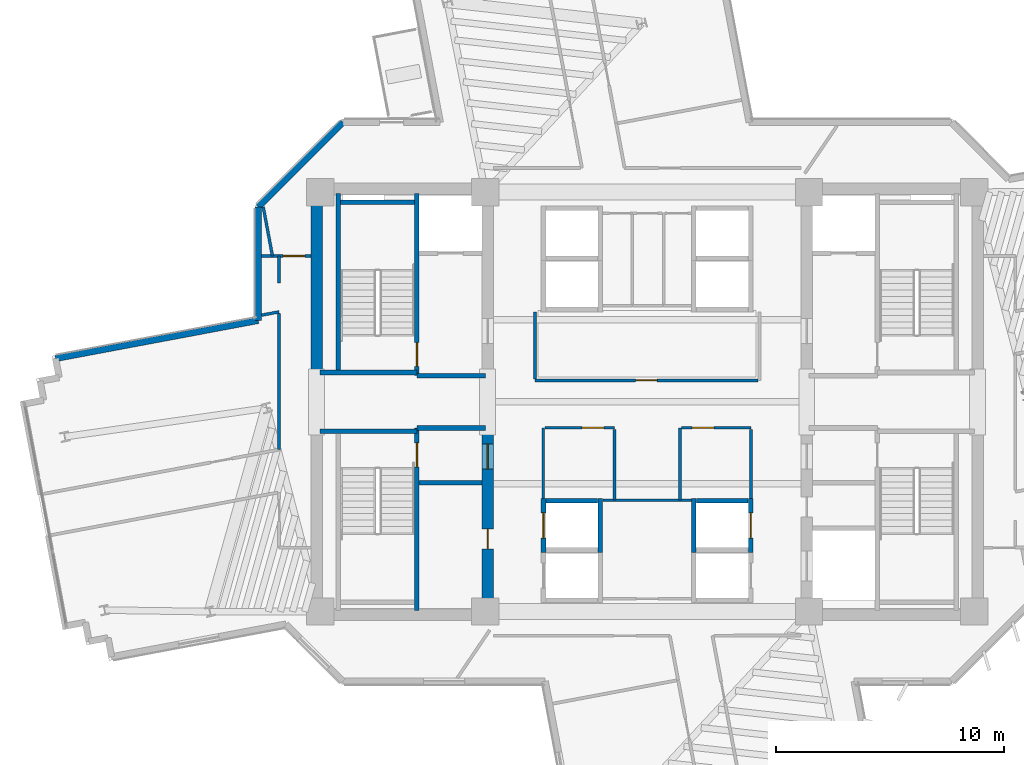
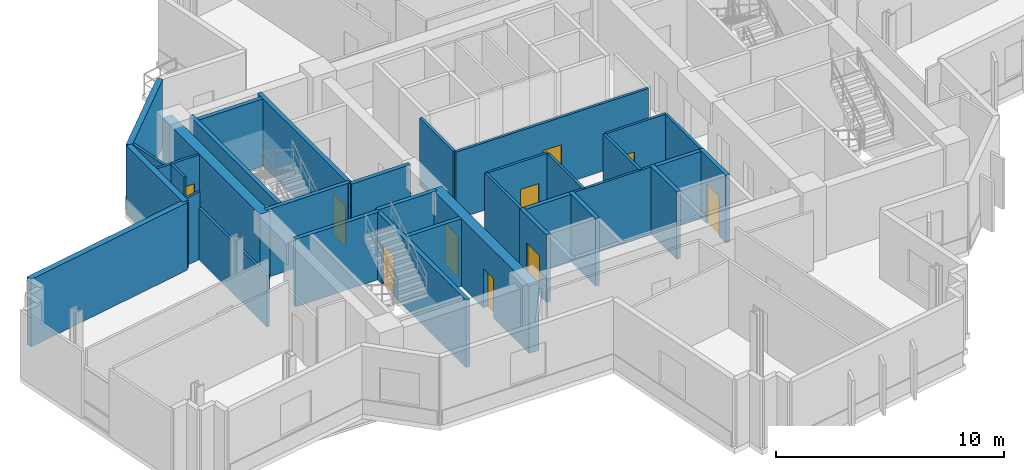
# One storey, part 9 of 16: 34 walls, 10 doors, 10 openings.
"""IFC4 building model written with IfcOpenShell, lengths in metres."""

from ifc_helpers import new_model, si_unit, direction, frame, frame_2d, origin, place, context, subcontext, project, spatial, rectangle, extrude, source, transform, mapped, material, layer, layer_set, type_object, element, fill, save


model = new_model("IFC4")

# Units and contexts
model_context = context("Model", 3, precision=1e-05, world=origin(), true_north=direction((0.0, 1.0)))
body_context = subcontext(model_context, "Body", "Model", "MODEL_VIEW")
ifc_project = project(units=[si_unit("LENGTHUNIT", "METRE"), si_unit("AREAUNIT", "SQUARE_METRE"), si_unit("VOLUMEUNIT", "CUBIC_METRE"), si_unit("PLANEANGLEUNIT", "RADIAN"), si_unit("MASSUNIT", "GRAM", prefix="KILO")], contexts=[model_context])

# Site, building, storey
site_placement = place(None, origin())
site = spatial("IfcSite", under=ifc_project, at=site_placement, CompositionType="ELEMENT")
building_placement = place(site_placement, origin())
building = spatial("IfcBuilding", under=site, at=building_placement, Name="Zahravan Cultural Tower", CompositionType="ELEMENT")
storey_placement = place(building_placement, frame((0.0, 0.0, 147.300048828125)))
storey = spatial("IfcBuildingStorey", under=building, at=storey_placement, Name="L33", CompositionType="ELEMENT", Elevation=147.300048828125)

# Wall, openings, doors
ifc_material_1 = material(Name="Concrete C60/75", Category="concrete")
ifc_layer_1 = layer(ifc_material_1, 0.5)
ifc_layer_set_1 = layer_set([ifc_layer_1], Name="Concrete C60/75")
wall_type_1 = type_object("IfcWallType", Name="CW-SHEAR-500-C60", PredefinedType="SHEAR", material=ifc_layer_set_1)
wall_1_placement = place(storey_placement, frame((29.0, 17.39990234375, 0.0), z_axis=(0.0, 0.0, 1.0), x_axis=(0.0, 1.0, 0.0)))
wall_1 = element("IfcWall", 1, at=wall_1_placement, inside=storey, type_object=wall_type_1, Name="L33 Core Shear Wall CW-W-ES-L33", PredefinedType="SHEAR", context=body_context, shape_type="SweptSolid", body=[
    extrude(rectangle(XDim=8.550048828125, YDim=0.5, at=frame_2d((4.27490234375, 0.0))), origin(), (0.0, 0.0, 1.0), 3.619873046875),
])
opening_1_placement = place(wall_1_placement, frame((6.64990234375, 0.0, 0.0)))
opening_1 = element("IfcOpeningElement", 2, at=opening_1_placement, cuts=wall_1, Name="Opening D-L33-07", PredefinedType="OPENING", context=body_context, shape_type="SweptSolid", body=[
    extrude(rectangle(XDim=1.10009765625, YDim=2.199951171875, at=frame_2d((0.550048828125, 1.10009765625))), frame((0.0, 0.260009765625, 0.0), z_axis=(0.0, -1.0, 0.0), x_axis=(1.0, 0.0, 0.0)), (0.0, 0.0, 1.0), 0.52001953125),
])
opening_2_placement = place(wall_1_placement, frame((3.14990234375, 0.0, 0.0)))
opening_2 = element("IfcOpeningElement", 3, at=opening_2_placement, cuts=wall_1, Name="Opening D-L33-09", PredefinedType="OPENING", context=body_context, shape_type="SweptSolid", body=[
    extrude(rectangle(XDim=0.8798828125, YDim=2.10009765625, at=frame_2d((0.43994140625, 1.050048828125))), frame((0.0, 0.260009765625, 0.0), z_axis=(0.0, -1.0, 0.0), x_axis=(1.0, 0.0, 0.0)), (0.0, 0.0, 1.0), 0.52001953125),
])
ifc_material_2 = material(Name="Steel ASTM A572 Grade 50", Category="steel")
door_type_1 = type_object("IfcDoorType", Name="DR-LOBBY-1100", OperationType="NOTDEFINED", PredefinedType="DOOR", material=ifc_material_2)
shared_shape_1 = source(origin(), body_context, "Body", "SweptSolid", [
    extrude(rectangle(XDim=1.10009765625, YDim=2.199951171875, at=frame_2d((0.550048828125, 1.10009765625))), frame((0.0, 0.02490234375, 0.0), z_axis=(0.0, -1.0, 0.0), x_axis=(1.0, 0.0, 0.0)), (0.0, 0.0, 1.0), 0.050048828125),
])
door_1_placement = place(opening_1_placement, origin())
door_1 = element("IfcDoor", 4, at=door_1_placement, inside=storey, type_object=door_type_1, Name="L33 Door D-L33-07", OperationType="SINGLE_SWING_LEFT", OverallHeight=2.199951171875, OverallWidth=1.10009765625, PredefinedType="DOOR", context=body_context, shape_type="MappedRepresentation", body=[
    mapped(shared_shape_1, transform((0.0, 0.0, 0.0), x_axis=(1.0, 0.0, 0.0), y_axis=(0.0, 1.0, 0.0), z_axis=(0.0, 0.0, 1.0), scale=1.0)),
])
fill(opening_1, door_1)
door_type_2 = type_object("IfcDoorType", Name="DR-SVC-880", OperationType="NOTDEFINED", PredefinedType="DOOR", material=ifc_material_2)
shared_shape_2 = source(origin(), body_context, "Body", "SweptSolid", [
    extrude(rectangle(XDim=0.8798828125, YDim=2.10009765625, at=frame_2d((0.43994140625, 1.050048828125))), frame((0.0, 0.02490234375, 0.0), z_axis=(0.0, -1.0, 0.0), x_axis=(1.0, 0.0, 0.0)), (0.0, 0.0, 1.0), 0.050048828125),
])
door_2_placement = place(opening_2_placement, origin())
door_2 = element("IfcDoor", 5, at=door_2_placement, inside=storey, type_object=door_type_2, Name="L33 Door D-L33-09", OperationType="SINGLE_SWING_LEFT", OverallHeight=2.10009765625, OverallWidth=0.8798828125, PredefinedType="DOOR", context=body_context, shape_type="MappedRepresentation", body=[
    mapped(shared_shape_2, transform((0.0, 0.0, 0.0), x_axis=(1.0, 0.0, 0.0), y_axis=(0.0, 1.0, 0.0), z_axis=(0.0, 0.0, 1.0), scale=1.0)),
])
fill(opening_2, door_2)

# Wall, opening, door
ifc_material_3 = material(Name="Gypsum plasterboard partition")
ifc_layer_2 = layer(ifc_material_3, 0.125)
ifc_layer_set_2 = layer_set([ifc_layer_2], Name="Gypsum plasterboard partition")
wall_type_2 = type_object("IfcWallType", Name="W-PART-125", PredefinedType="PARTITIONING", material=ifc_layer_set_2)
wall_2_placement = place(storey_placement, frame((21.2451171875, 33.39990234375, 0.0), z_axis=(0.0, 0.0, 1.0), x_axis=(-0.99999875384, -0.001578708001, 0.0)))
wall_2 = element("IfcWall", 6, at=wall_2_placement, inside=storey, type_object=wall_type_2, Name="L33 Interior Wall 064", PredefinedType="PARTITIONING", context=body_context, shape_type="SweptSolid", body=[
    extrude(rectangle(XDim=2.1650390625, YDim=0.125, at=frame_2d((1.08251953125, 0.0))), origin(), (0.0, 0.0, 1.0), 3.619873046875),
])
opening_3_placement = place(wall_2_placement, frame((0.267333984375, 0.0, 0.0)))
opening_3 = element("IfcOpeningElement", 7, at=opening_3_placement, cuts=wall_2, Name="Opening D-L33-24", PredefinedType="OPENING", context=body_context, shape_type="SweptSolid", body=[
    extrude(rectangle(XDim=0.949951171875, YDim=2.14990234375, at=frame_2d((0.47509765625, 1.074951171875))), frame((0.0, 0.072509765625, 0.0), z_axis=(0.0, -1.0, 0.0), x_axis=(1.0, 0.0, 0.0)), (0.0, 0.0, 1.0), 0.14501953125),
])
ifc_material_4 = material(Name="Anodised bronze-aluminium mullion", Category="aluminium")
door_type_3 = type_object("IfcDoorType", Name="DR-ROOM-950", OperationType="NOTDEFINED", PredefinedType="DOOR", material=ifc_material_4)
shared_shape_3 = source(origin(), body_context, "Body", "SweptSolid", [
    extrude(rectangle(XDim=0.949951171875, YDim=2.14990234375, at=frame_2d((0.47509765625, 1.074951171875))), frame((0.0, 0.02490234375, 0.0), z_axis=(0.0, -1.0, 0.0), x_axis=(1.0, 0.0, 0.0)), (0.0, 0.0, 1.0), 0.050048828125),
])
door_3_placement = place(opening_3_placement, origin())
door_3 = element("IfcDoor", 8, at=door_3_placement, inside=storey, type_object=door_type_3, Name="L33 Door D-L33-24", OperationType="SINGLE_SWING_RIGHT", OverallHeight=2.14990234375, OverallWidth=0.949951171875, PredefinedType="DOOR", context=body_context, shape_type="MappedRepresentation", body=[
    mapped(shared_shape_3, transform((0.0, 0.0, 0.0), x_axis=(1.0, 0.0, 0.0), y_axis=(0.0, 1.0, 0.0), z_axis=(0.0, 0.0, 1.0), scale=1.0)),
])
fill(opening_3, door_3)

wall_3_placement = place(storey_placement, frame((31.507568359375, 25.860107421875, 0.0), z_axis=(0.0, 0.0, 1.0), x_axis=(1.0, 0.0, 0.0)))
wall_3 = element("IfcWall", 9, at=wall_3_placement, inside=storey, type_object=wall_type_2, Name="L33 Interior Wall 069", PredefinedType="PARTITIONING", context=body_context, shape_type="SweptSolid", body=[
    extrude(rectangle(XDim=3.052490234375, YDim=0.125, at=frame_2d((1.5263671875, 0.0))), origin(), (0.0, 0.0, 1.0), 3.619873046875),
])
opening_4_placement = place(wall_3_placement, frame((1.639892578125, 0.0, 0.0)))
opening_4 = element("IfcOpeningElement", 10, at=opening_4_placement, cuts=wall_3, Name="Opening D-L33-11", PredefinedType="OPENING", context=body_context, shape_type="SweptSolid", body=[
    extrude(rectangle(XDim=0.949951171875, YDim=2.14990234375, at=frame_2d((0.47509765625, 1.074951171875))), frame((0.0, 0.072509765625, 0.0), z_axis=(0.0, -1.0, 0.0), x_axis=(1.0, 0.0, 0.0)), (0.0, 0.0, 1.0), 0.14501953125),
])
door_4_placement = place(opening_4_placement, origin())
door_4 = element("IfcDoor", 11, at=door_4_placement, inside=storey, type_object=door_type_3, Name="L33 Door D-L33-11", OperationType="SINGLE_SWING_LEFT", OverallHeight=2.14990234375, OverallWidth=0.949951171875, PredefinedType="DOOR", context=body_context, shape_type="MappedRepresentation", body=[
    mapped(shared_shape_3, transform((0.0, 0.0, 0.0), x_axis=(1.0, 0.0, 0.0), y_axis=(0.0, 1.0, 0.0), z_axis=(0.0, 0.0, 1.0), scale=1.0)),
])
fill(opening_4, door_4)

wall_4_placement = place(storey_placement, frame((37.507568359375, 25.860107421875, 0.0), z_axis=(0.0, 0.0, 1.0), x_axis=(1.0, 0.0, 0.0)))
wall_4 = element("IfcWall", 12, at=wall_4_placement, inside=storey, type_object=wall_type_2, Name="L33 Interior Wall 072", PredefinedType="PARTITIONING", context=body_context, shape_type="SweptSolid", body=[
    extrude(rectangle(XDim=3.052490234375, YDim=0.125, at=frame_2d((1.5263671875, 0.0))), origin(), (0.0, 0.0, 1.0), 3.619873046875),
])
opening_5_placement = place(wall_4_placement, frame((0.462646484375, 0.0, 0.0)))
opening_5 = element("IfcOpeningElement", 13, at=opening_5_placement, cuts=wall_4, Name="Opening D-L33-12", PredefinedType="OPENING", context=body_context, shape_type="SweptSolid", body=[
    extrude(rectangle(XDim=0.949951171875, YDim=2.14990234375, at=frame_2d((0.47509765625, 1.074951171875))), frame((0.0, 0.072509765625, 0.0), z_axis=(0.0, -1.0, 0.0), x_axis=(1.0, 0.0, 0.0)), (0.0, 0.0, 1.0), 0.14501953125),
])
door_5_placement = place(opening_5_placement, origin())
door_5 = element("IfcDoor", 14, at=door_5_placement, inside=storey, type_object=door_type_3, Name="L33 Door D-L33-12", OperationType="SINGLE_SWING_RIGHT", OverallHeight=2.14990234375, OverallWidth=0.949951171875, PredefinedType="DOOR", context=body_context, shape_type="MappedRepresentation", body=[
    mapped(shared_shape_3, transform((0.0, 0.0, 0.0), x_axis=(1.0, 0.0, 0.0), y_axis=(0.0, 1.0, 0.0), z_axis=(0.0, 0.0, 1.0), scale=1.0)),
])
fill(opening_5, door_5)

wall_5_placement = place(storey_placement, frame((40.8525390625, 27.93994140625, 0.0), z_axis=(0.0, 0.0, 1.0), x_axis=(-1.0, 0.0, 0.0)))
wall_5 = element("IfcWall", 15, at=wall_5_placement, inside=storey, type_object=wall_type_2, Name="L33 Interior Wall 085", PredefinedType="PARTITIONING", context=body_context, shape_type="SweptSolid", body=[
    extrude(rectangle(XDim=9.7724609375, YDim=0.125, at=frame_2d((4.88623046875, 0.0))), origin(), (0.0, 0.0, 1.0), 3.619873046875),
])
opening_6_placement = place(wall_5_placement, frame((4.411376953125, 0.0, 0.0)))
opening_6 = element("IfcOpeningElement", 16, at=opening_6_placement, cuts=wall_5, Name="Opening D-L33-16", PredefinedType="OPENING", context=body_context, shape_type="SweptSolid", body=[
    extrude(rectangle(XDim=0.949951171875, YDim=2.14990234375, at=frame_2d((0.47509765625, 1.074951171875))), frame((0.0, 0.072509765625, 0.0), z_axis=(0.0, -1.0, 0.0), x_axis=(1.0, 0.0, 0.0)), (0.0, 0.0, 1.0), 0.14501953125),
])
door_6_placement = place(opening_6_placement, origin())
door_6 = element("IfcDoor", 17, at=door_6_placement, inside=storey, type_object=door_type_3, Name="L33 Door D-L33-16", OperationType="SINGLE_SWING_RIGHT", OverallHeight=2.14990234375, OverallWidth=0.949951171875, PredefinedType="DOOR", context=body_context, shape_type="MappedRepresentation", body=[
    mapped(shared_shape_3, transform((0.0, 0.0, 0.0), x_axis=(1.0, 0.0, 0.0), y_axis=(0.0, 1.0, 0.0), z_axis=(0.0, 0.0, 1.0), scale=1.0)),
])
fill(opening_6, door_6)

ifc_material_5 = material(Name="Concrete C45/55", Category="concrete")
ifc_layer_3 = layer(ifc_material_5, 0.199951171875)
ifc_layer_set_3 = layer_set([ifc_layer_3], Name="Concrete C45/55")
wall_type_3 = type_object("IfcWallType", Name="W-SHAFT-200", PredefinedType="SOLIDWALL", material=ifc_layer_set_3)
wall_6_placement = place(storey_placement, frame((25.89990234375, 17.85009765625, 0.0), z_axis=(0.0, 0.0, 1.0), x_axis=(0.0, 1.0, 0.0)))
wall_6 = element("IfcWall", 18, at=wall_6_placement, inside=storey, type_object=wall_type_3, Name="L33 Interior Wall 005", PredefinedType="SOLIDWALL", context=body_context, shape_type="SweptSolid", body=[
    extrude(rectangle(XDim=8.0, YDim=0.199951171875, at=frame_2d((4.0, 0.0))), origin(), (0.0, 0.0, 1.0), 3.619873046875),
])
opening_7_placement = place(wall_6_placement, frame((6.300048828125, 0.0, 0.0)))
opening_7 = element("IfcOpeningElement", 19, at=opening_7_placement, cuts=wall_6, Name="Opening D-L33-04", PredefinedType="OPENING", context=body_context, shape_type="SweptSolid", body=[
    extrude(rectangle(XDim=1.050048828125, YDim=2.14990234375, at=frame_2d((0.52490234375, 1.074951171875))), frame((0.0, 0.10986328125, 0.0), z_axis=(0.0, -1.0, 0.0), x_axis=(1.0, 0.0, 0.0)), (0.0, 0.0, 1.0), 0.219970703125),
])
door_type_4 = type_object("IfcDoorType", Name="DR-STAIR-1050", OperationType="NOTDEFINED", PredefinedType="DOOR", material=ifc_material_2)
shared_shape_4 = source(origin(), body_context, "Body", "SweptSolid", [
    extrude(rectangle(XDim=1.050048828125, YDim=2.14990234375, at=frame_2d((0.52490234375, 1.074951171875))), frame((0.0, 0.02490234375, 0.0), z_axis=(0.0, -1.0, 0.0), x_axis=(1.0, 0.0, 0.0)), (0.0, 0.0, 1.0), 0.050048828125),
])
door_7_placement = place(opening_7_placement, origin())
door_7 = element("IfcDoor", 20, at=door_7_placement, inside=storey, type_object=door_type_4, Name="L33 Door D-L33-04", OperationType="SINGLE_SWING_RIGHT", OverallHeight=2.14990234375, OverallWidth=1.050048828125, PredefinedType="DOOR", context=body_context, shape_type="MappedRepresentation", body=[
    mapped(shared_shape_4, transform((0.0, 0.0, 0.0), x_axis=(1.0, 0.0, 0.0), y_axis=(0.0, 1.0, 0.0), z_axis=(0.0, 0.0, 1.0), scale=1.0)),
])
fill(opening_7, door_7)

wall_7_placement = place(storey_placement, frame((25.89990234375, 28.14990234375, 0.0), z_axis=(0.0, 0.0, 1.0), x_axis=(0.0, 1.0, 0.0)))
wall_7 = element("IfcWall", 21, at=wall_7_placement, inside=storey, type_object=wall_type_3, Name="L33 Interior Wall 006", PredefinedType="SOLIDWALL", context=body_context, shape_type="SweptSolid", body=[
    extrude(rectangle(XDim=8.0, YDim=0.199951171875, at=frame_2d((4.0, 0.0))), origin(), (0.0, 0.0, 1.0), 3.619873046875),
])
opening_8_placement = place(wall_7_placement, frame((0.39990234375, 0.0, 0.0)))
opening_8 = element("IfcOpeningElement", 22, at=opening_8_placement, cuts=wall_7, Name="Opening D-L33-01", PredefinedType="OPENING", context=body_context, shape_type="SweptSolid", body=[
    extrude(rectangle(XDim=1.050048828125, YDim=2.14990234375, at=frame_2d((0.52490234375, 1.074951171875))), frame((0.0, 0.10986328125, 0.0), z_axis=(0.0, -1.0, 0.0), x_axis=(1.0, 0.0, 0.0)), (0.0, 0.0, 1.0), 0.219970703125),
])
door_8_placement = place(opening_8_placement, origin())
door_8 = element("IfcDoor", 23, at=door_8_placement, inside=storey, type_object=door_type_4, Name="L33 Door D-L33-01", OperationType="SINGLE_SWING_LEFT", OverallHeight=2.14990234375, OverallWidth=1.050048828125, PredefinedType="DOOR", context=body_context, shape_type="MappedRepresentation", body=[
    mapped(shared_shape_4, transform((0.0, 0.0, 0.0), x_axis=(1.0, 0.0, 0.0), y_axis=(0.0, 1.0, 0.0), z_axis=(0.0, 0.0, 1.0), scale=1.0)),
])
fill(opening_8, door_8)

wall_8_placement = place(storey_placement, frame((31.449951171875, 20.39990234375, 0.0), z_axis=(0.0, 0.0, 1.0), x_axis=(0.0, 1.0, 0.0)))
wall_8 = element("IfcWall", 24, at=wall_8_placement, inside=storey, type_object=wall_type_3, Name="L33 Interior Wall 040", PredefinedType="SOLIDWALL", context=body_context, shape_type="SweptSolid", body=[
    extrude(rectangle(XDim=2.35009765625, YDim=0.199951171875, at=frame_2d((1.175048828125, 0.0))), origin(), (0.0, 0.0, 1.0), 3.619873046875),
])
opening_9_placement = place(wall_8_placement, frame((0.625, 0.0, 0.0)))
opening_9 = element("IfcOpeningElement", 25, at=opening_9_placement, cuts=wall_8, Name="Opening LD-L33-04", PredefinedType="OPENING", context=body_context, shape_type="SweptSolid", body=[
    extrude(rectangle(XDim=1.10009765625, YDim=2.14990234375, at=frame_2d((0.550048828125, 1.074951171875))), frame((0.0, 0.10986328125, 0.0), z_axis=(0.0, -1.0, 0.0), x_axis=(1.0, 0.0, 0.0)), (0.0, 0.0, 1.0), 0.219970703125),
])
door_type_5 = type_object("IfcDoorType", Name="DR-LIFT-1100", OperationType="DOUBLE_DOOR_SLIDING", PredefinedType="DOOR", material=ifc_material_2)
shared_shape_5 = source(origin(), body_context, "Body", "SweptSolid", [
    extrude(rectangle(XDim=1.10009765625, YDim=2.14990234375, at=frame_2d((0.550048828125, 1.074951171875))), frame((0.0, 0.02490234375, 0.0), z_axis=(0.0, -1.0, 0.0), x_axis=(1.0, 0.0, 0.0)), (0.0, 0.0, 1.0), 0.050048828125),
])
door_9_placement = place(opening_9_placement, origin())
door_9 = element("IfcDoor", 26, at=door_9_placement, inside=storey, type_object=door_type_5, Name="L33 Door LD-L33-04", OperationType="DOUBLE_DOOR_SLIDING", OverallHeight=2.14990234375, OverallWidth=1.10009765625, PredefinedType="DOOR", context=body_context, shape_type="MappedRepresentation", body=[
    mapped(shared_shape_5, transform((0.0, 0.0, 0.0), x_axis=(1.0, 0.0, 0.0), y_axis=(0.0, 1.0, 0.0), z_axis=(0.0, 0.0, 1.0), scale=1.0)),
])
fill(opening_9, door_9)

wall_9_placement = place(storey_placement, frame((40.550048828125, 20.39990234375, 0.0), z_axis=(0.0, 0.0, 1.0), x_axis=(0.0, 1.0, 0.0)))
wall_9 = element("IfcWall", 27, at=wall_9_placement, inside=storey, type_object=wall_type_3, Name="L33 Interior Wall 048", PredefinedType="SOLIDWALL", context=body_context, shape_type="SweptSolid", body=[
    extrude(rectangle(XDim=2.35009765625, YDim=0.199951171875, at=frame_2d((1.175048828125, 0.0))), origin(), (0.0, 0.0, 1.0), 3.619873046875),
])
opening_10_placement = place(wall_9_placement, frame((0.625, 0.0, 0.0)))
opening_10 = element("IfcOpeningElement", 28, at=opening_10_placement, cuts=wall_9, Name="Opening LD-L33-06", PredefinedType="OPENING", context=body_context, shape_type="SweptSolid", body=[
    extrude(rectangle(XDim=1.10009765625, YDim=2.14990234375, at=frame_2d((0.550048828125, 1.074951171875))), frame((0.0, 0.10986328125, 0.0), z_axis=(0.0, -1.0, 0.0), x_axis=(1.0, 0.0, 0.0)), (0.0, 0.0, 1.0), 0.219970703125),
])
door_10_placement = place(opening_10_placement, origin())
door_10 = element("IfcDoor", 29, at=door_10_placement, inside=storey, type_object=door_type_5, Name="L33 Door LD-L33-06", OperationType="DOUBLE_DOOR_SLIDING", OverallHeight=2.14990234375, OverallWidth=1.10009765625, PredefinedType="DOOR", context=body_context, shape_type="MappedRepresentation", body=[
    mapped(shared_shape_5, transform((0.0, 0.0, 0.0), x_axis=(1.0, 0.0, 0.0), y_axis=(0.0, 1.0, 0.0), z_axis=(0.0, 0.0, 1.0), scale=1.0)),
])
fill(opening_10, door_10)

# Walls
shared_shape_6 = source(origin(), body_context, "Body", "SweptSolid", [
    extrude(rectangle(XDim=8.550048828125, YDim=0.5, at=frame_2d((4.27490234375, 0.0))), origin(), (0.0, 0.0, 1.0), 3.619873046875),
])
wall_10_placement = place(storey_placement, frame((21.5, 28.050048828125, 0.0), z_axis=(0.0, 0.0, 1.0), x_axis=(0.0, 1.0, 0.0)))
element("IfcWall", 30, at=wall_10_placement, inside=storey, type_object=wall_type_1, Name="L33 Core Shear Wall CW-W-WN-L33", PredefinedType="SHEAR", context=body_context, shape_type="MappedRepresentation", body=[
    mapped(shared_shape_6, transform((0.0, 0.0, 0.0), x_axis=(1.0, 0.0, 0.0), y_axis=(0.0, 1.0, 0.0), z_axis=(0.0, 0.0, 1.0), scale=1.0)),
])
ifc_material_6 = material(Name="Precast concrete C40/50", Category="concrete")
ifc_layer_4 = layer(ifc_material_6, 0.280029296875)
ifc_layer_set_4 = layer_set([ifc_layer_4], Name="Precast concrete C40/50")
wall_type_4 = type_object("IfcWallType", Name="EW-TC-280", PredefinedType="SOLIDWALL", material=ifc_layer_set_4)
shared_shape_7 = source(origin(), body_context, "Body", "SweptSolid", [
    extrude(rectangle(XDim=5.258056640625, YDim=0.280029296875, at=frame_2d((2.62890625, 0.0))), origin(), (0.0, 0.0, 1.0), 3.619873046875),
])
wall_11_placement = place(storey_placement, frame((18.93994140625, 35.5419921875, 0.0), z_axis=(0.0, 0.0, 1.0), x_axis=(0.707106781187, 0.707106781187, 0.0)))
element("IfcWall", 31, at=wall_11_placement, inside=storey, type_object=wall_type_4, Name="L33 Exterior Masonry Frame Wall 38", PredefinedType="SOLIDWALL", context=body_context, shape_type="MappedRepresentation", body=[
    mapped(shared_shape_7, transform((0.0, 0.0, 0.0), x_axis=(1.0, 0.0, 0.0), y_axis=(0.0, 1.0, 0.0), z_axis=(0.0, 0.0, 1.0), scale=1.0)),
])
shared_shape_8 = source(origin(), body_context, "Body", "SweptSolid", [
    extrude(rectangle(XDim=4.970458984375, YDim=0.280029296875, at=frame_2d((2.4853515625, 0.0))), origin(), (0.0, 0.0, 1.0), 3.619873046875),
])
wall_12_placement = place(storey_placement, frame((18.93994140625, 30.571533203125, 0.0), z_axis=(0.0, 0.0, 1.0), x_axis=(0.0, 1.0, 0.0)))
element("IfcWall", 32, at=wall_12_placement, inside=storey, type_object=wall_type_4, Name="L33 Exterior Masonry Frame Wall 37", PredefinedType="SOLIDWALL", context=body_context, shape_type="MappedRepresentation", body=[
    mapped(shared_shape_8, transform((0.0, 0.0, 0.0), x_axis=(1.0, 0.0, 0.0), y_axis=(0.0, 1.0, 0.0), z_axis=(0.0, 0.0, 1.0), scale=1.0)),
])
shared_shape_9 = source(origin(), body_context, "Body", "SweptSolid", [
    extrude(rectangle(XDim=9.052490234375, YDim=0.280029296875, at=frame_2d((4.5263671875, 0.0))), origin(), (0.0, 0.0, 1.0), 3.619873046875),
])
wall_13_placement = place(storey_placement, frame((10.04296875, 28.900146484375, 0.0), z_axis=(0.0, 0.0, 1.0), x_axis=(0.982808012228, 0.184630471755, 0.0)))
element("IfcWall", 33, at=wall_13_placement, inside=storey, type_object=wall_type_4, Name="L33 Exterior Masonry Frame Wall 36", PredefinedType="SOLIDWALL", context=body_context, shape_type="MappedRepresentation", body=[
    mapped(shared_shape_9, transform((0.0, 0.0, 0.0), x_axis=(1.0, 0.0, 0.0), y_axis=(0.0, 1.0, 0.0), z_axis=(0.0, 0.0, 1.0), scale=1.0)),
])
shared_shape_10 = source(origin(), body_context, "Body", "SweptSolid", [
    extrude(rectangle(XDim=7.869873046875, YDim=0.199951171875, at=frame_2d((3.93505859375, 0.0))), origin(), (0.0, 0.0, 1.0), 3.619873046875),
])
wall_14_placement = place(storey_placement, frame((22.449951171875, 28.280029296875, 0.0), z_axis=(0.0, 0.0, 1.0), x_axis=(0.0, 1.0, 0.0)))
element("IfcWall", 34, at=wall_14_placement, inside=storey, type_object=wall_type_3, Name="L33 Interior Wall 002", PredefinedType="SOLIDWALL", context=body_context, shape_type="MappedRepresentation", body=[
    mapped(shared_shape_10, transform((0.0, 0.0, 0.0), x_axis=(1.0, 0.0, 0.0), y_axis=(0.0, 1.0, 0.0), z_axis=(0.0, 0.0, 1.0), scale=1.0)),
])
shared_shape_11 = source(origin(), body_context, "Body", "SweptSolid", [
    extrude(rectangle(XDim=4.25, YDim=0.199951171875, at=frame_2d((2.125, 0.0))), origin(), (0.0, 0.0, 1.0), 3.619873046875),
])
for number, where, z_axis, x_axis, name in (
    (35, (21.64990234375, 25.715087890625, 0.0), (0.0, 0.0, 1.0), (1.0, 0.0, 0.0), "L33 Interior Wall 009"),
    (36, (21.64990234375, 28.284912109375, 0.0), (0.0, 0.0, 1.0), (1.0, 0.0, 0.0), "L33 Interior Wall 011"),
):
    element("IfcWall", number, at=place(storey_placement, frame(where, z_axis=z_axis, x_axis=x_axis)), inside=storey, type_object=wall_type_3, Name=name, PredefinedType="SOLIDWALL", context=body_context, shape_type="MappedRepresentation", body=[
        mapped(shared_shape_11, transform((0.0, 0.0, 0.0), x_axis=(1.0, 0.0, 0.0), y_axis=(0.0, 1.0, 0.0), z_axis=(0.0, 0.0, 1.0), scale=1.0)),
    ])
shared_shape_12 = source(origin(), body_context, "Body", "SweptSolid", [
    extrude(rectangle(XDim=3.0, YDim=0.199951171875, at=frame_2d((1.5, 0.0))), origin(), (0.0, 0.0, 1.0), 3.619873046875),
])
for number, where, z_axis, x_axis, name in (
    (37, (25.89990234375, 25.85009765625, 0.0), (0.0, 0.0, 1.0), (1.0, 0.0, 0.0), "L33 Interior Wall 010"),
    (38, (25.89990234375, 28.14990234375, 0.0), (0.0, 0.0, 1.0), (1.0, 0.0, 0.0), "L33 Interior Wall 012"),
):
    element("IfcWall", number, at=place(storey_placement, frame(where, z_axis=z_axis, x_axis=x_axis)), inside=storey, type_object=wall_type_3, Name=name, PredefinedType="SOLIDWALL", context=body_context, shape_type="MappedRepresentation", body=[
        mapped(shared_shape_12, transform((0.0, 0.0, 0.0), x_axis=(1.0, 0.0, 0.0), y_axis=(0.0, 1.0, 0.0), z_axis=(0.0, 0.0, 1.0), scale=1.0)),
    ])
shared_shape_13 = source(origin(), body_context, "Body", "SweptSolid", [
    extrude(rectangle(XDim=3.25, YDim=0.199951171875, at=frame_2d((1.625, 0.0))), origin(), (0.0, 0.0, 1.0), 3.619873046875),
])
wall_15_placement = place(storey_placement, frame((22.550048828125, 35.75, 0.0), z_axis=(0.0, 0.0, 1.0), x_axis=(1.0, 0.0, 0.0)))
element("IfcWall", 39, at=wall_15_placement, inside=storey, type_object=wall_type_3, Name="L33 Interior Wall 017", PredefinedType="SOLIDWALL", context=body_context, shape_type="MappedRepresentation", body=[
    mapped(shared_shape_13, transform((0.0, 0.0, 0.0), x_axis=(1.0, 0.0, 0.0), y_axis=(0.0, 1.0, 0.0), z_axis=(0.0, 0.0, 1.0), scale=1.0)),
])
shared_shape_14 = source(origin(), body_context, "Body", "SweptSolid", [
    extrude(rectangle(XDim=2.75, YDim=0.199951171875, at=frame_2d((1.375, 0.0))), origin(), (0.0, 0.0, 1.0), 3.619873046875),
])
wall_16_placement = place(storey_placement, frame((26.0, 23.449951171875, 0.0), z_axis=(0.0, 0.0, 1.0), x_axis=(1.0, 0.0, 0.0)))
element("IfcWall", 40, at=wall_16_placement, inside=storey, type_object=wall_type_3, Name="L33 Interior Wall 023", PredefinedType="SOLIDWALL", context=body_context, shape_type="MappedRepresentation", body=[
    mapped(shared_shape_14, transform((0.0, 0.0, 0.0), x_axis=(1.0, 0.0, 0.0), y_axis=(0.0, 1.0, 0.0), z_axis=(0.0, 0.0, 1.0), scale=1.0)),
])
shared_shape_15 = source(origin(), body_context, "Body", "SweptSolid", [
    extrude(rectangle(XDim=2.260009765625, YDim=0.199951171875, at=frame_2d((1.1298828125, 0.0))), origin(), (0.0, 0.0, 1.0), 3.619873046875),
])
for number, where, z_axis, x_axis, name in (
    (41, (31.570068359375, 22.64990234375, 0.0), (0.0, 0.0, 1.0), (1.0, 0.0, 0.0), "L33 Interior Wall 043"),
    (42, (38.169921875, 22.64990234375, 0.0), (0.0, 0.0, 1.0), (1.0, 0.0, 0.0), "L33 Interior Wall 050"),
):
    element("IfcWall", number, at=place(storey_placement, frame(where, z_axis=z_axis, x_axis=x_axis)), inside=storey, type_object=wall_type_3, Name=name, PredefinedType="SOLIDWALL", context=body_context, shape_type="MappedRepresentation", body=[
        mapped(shared_shape_15, transform((0.0, 0.0, 0.0), x_axis=(1.0, 0.0, 0.0), y_axis=(0.0, 1.0, 0.0), z_axis=(0.0, 0.0, 1.0), scale=1.0)),
    ])
shared_shape_16 = source(origin(), body_context, "Body", "SweptSolid", [
    extrude(rectangle(XDim=2.35009765625, YDim=0.199951171875, at=frame_2d((1.175048828125, 0.0))), origin(), (0.0, 0.0, 1.0), 3.619873046875),
])
for number, where, z_axis, x_axis, name in (
    (43, (33.949951171875, 20.39990234375, 0.0), (0.0, 0.0, 1.0), (0.0, 1.0, 0.0), "L33 Interior Wall 041"),
    (44, (38.050048828125, 20.39990234375, 0.0), (0.0, 0.0, 1.0), (0.0, 1.0, 0.0), "L33 Interior Wall 047"),
):
    element("IfcWall", number, at=place(storey_placement, frame(where, z_axis=z_axis, x_axis=x_axis)), inside=storey, type_object=wall_type_3, Name=name, PredefinedType="SOLIDWALL", context=body_context, shape_type="MappedRepresentation", body=[
        mapped(shared_shape_16, transform((0.0, 0.0, 0.0), x_axis=(1.0, 0.0, 0.0), y_axis=(0.0, 1.0, 0.0), z_axis=(0.0, 0.0, 1.0), scale=1.0)),
    ])
shared_shape_17 = source(origin(), body_context, "Body", "SweptSolid", [
    extrude(rectangle(XDim=1.194580078125, YDim=0.125, at=frame_2d((0.59716796875, 0.0))), origin(), (0.0, 0.0, 1.0), 3.619873046875),
])
wall_17_placement = place(storey_placement, frame((19.851318359375, 33.397705078125, 0.0), z_axis=(0.0, 0.0, 1.0), x_axis=(-0.001021867441, -0.999999477893, 0.0)))
element("IfcWall", 45, at=wall_17_placement, inside=storey, type_object=wall_type_2, Name="L33 Interior Wall 062", PredefinedType="PARTITIONING", context=body_context, shape_type="MappedRepresentation", body=[
    mapped(shared_shape_17, transform((0.0, 0.0, 0.0), x_axis=(1.0, 0.0, 0.0), y_axis=(0.0, 1.0, 0.0), z_axis=(0.0, 0.0, 1.0), scale=1.0)),
])
shared_shape_18 = source(origin(), body_context, "Body", "SweptSolid", [
    extrude(rectangle(XDim=2.19189453125, YDim=0.125, at=frame_2d((1.095947265625, 0.0))), origin(), (0.0, 0.0, 1.0), 3.619873046875),
])
wall_18_placement = place(storey_placement, frame((19.56005859375, 33.39794921875, 0.0), z_axis=(0.0, 0.0, 1.0), x_axis=(-0.184665106031, 0.982801505196, 0.0)))
element("IfcWall", 46, at=wall_18_placement, inside=storey, type_object=wall_type_2, Name="L33 Interior Wall 063", PredefinedType="PARTITIONING", context=body_context, shape_type="MappedRepresentation", body=[
    mapped(shared_shape_18, transform((0.0, 0.0, 0.0), x_axis=(1.0, 0.0, 0.0), y_axis=(0.0, 1.0, 0.0), z_axis=(0.0, 0.0, 1.0), scale=1.0)),
])
shared_shape_19 = source(origin(), body_context, "Body", "SweptSolid", [
    extrude(rectangle(XDim=3.110107421875, YDim=0.125, at=frame_2d((1.55517578125, 0.0))), origin(), (0.0, 0.0, 1.0), 3.619873046875),
])
wall_19_placement = place(storey_placement, frame((31.43994140625, 22.75, 0.0), z_axis=(0.0, 0.0, 1.0), x_axis=(0.0, 1.0, 0.0)))
element("IfcWall", 47, at=wall_19_placement, inside=storey, type_object=wall_type_2, Name="L33 Interior Wall 068", PredefinedType="PARTITIONING", context=body_context, shape_type="MappedRepresentation", body=[
    mapped(shared_shape_19, transform((0.0, 0.0, 0.0), x_axis=(1.0, 0.0, 0.0), y_axis=(0.0, 1.0, 0.0), z_axis=(0.0, 0.0, 1.0), scale=1.0)),
])
shared_shape_20 = source(origin(), body_context, "Body", "SweptSolid", [
    extrude(rectangle(XDim=3.1025390625, YDim=0.125, at=frame_2d((1.55126953125, 0.0))), origin(), (0.0, 0.0, 1.0), 3.619873046875),
])
wall_20_placement = place(storey_placement, frame((34.56005859375, 25.79248046875, 0.0), z_axis=(0.0, 0.0, 1.0), x_axis=(0.0, -1.0, 0.0)))
element("IfcWall", 48, at=wall_20_placement, inside=storey, type_object=wall_type_2, Name="L33 Interior Wall 070", PredefinedType="PARTITIONING", context=body_context, shape_type="MappedRepresentation", body=[
    mapped(shared_shape_20, transform((0.0, 0.0, 0.0), x_axis=(1.0, 0.0, 0.0), y_axis=(0.0, 1.0, 0.0), z_axis=(0.0, 0.0, 1.0), scale=1.0)),
])
shared_shape_21 = source(origin(), body_context, "Body", "SweptSolid", [
    extrude(rectangle(XDim=3.170166015625, YDim=0.125, at=frame_2d((1.5849609375, 0.0))), origin(), (0.0, 0.0, 1.0), 3.619873046875),
])
wall_21_placement = place(storey_placement, frame((37.43994140625, 22.68994140625, 0.0), z_axis=(0.0, 0.0, 1.0), x_axis=(0.0, 1.0, 0.0)))
element("IfcWall", 49, at=wall_21_placement, inside=storey, type_object=wall_type_2, Name="L33 Interior Wall 071", PredefinedType="PARTITIONING", context=body_context, shape_type="MappedRepresentation", body=[
    mapped(shared_shape_21, transform((0.0, 0.0, 0.0), x_axis=(1.0, 0.0, 0.0), y_axis=(0.0, 1.0, 0.0), z_axis=(0.0, 0.0, 1.0), scale=1.0)),
])
shared_shape_22 = source(origin(), body_context, "Body", "SweptSolid", [
    extrude(rectangle(XDim=3.04248046875, YDim=0.125, at=frame_2d((1.521240234375, 0.0))), origin(), (0.0, 0.0, 1.0), 3.619873046875),
])
wall_22_placement = place(storey_placement, frame((40.56005859375, 25.79248046875, 0.0), z_axis=(0.0, 0.0, 1.0), x_axis=(0.0, -1.0, 0.0)))
element("IfcWall", 50, at=wall_22_placement, inside=storey, type_object=wall_type_2, Name="L33 Interior Wall 073", PredefinedType="PARTITIONING", context=body_context, shape_type="MappedRepresentation", body=[
    mapped(shared_shape_22, transform((0.0, 0.0, 0.0), x_axis=(1.0, 0.0, 0.0), y_axis=(0.0, 1.0, 0.0), z_axis=(0.0, 0.0, 1.0), scale=1.0)),
])
shared_shape_23 = source(origin(), body_context, "Body", "SweptSolid", [
    extrude(rectangle(XDim=3.89013671875, YDim=0.125, at=frame_2d((1.945068359375, 0.0))), origin(), (0.0, 0.0, 1.0), 3.619873046875),
])
wall_23_placement = place(storey_placement, frame((34.054931640625, 22.679931640625, 0.0), z_axis=(0.0, 0.0, 1.0), x_axis=(1.0, 0.0, 0.0)))
element("IfcWall", 51, at=wall_23_placement, inside=storey, type_object=wall_type_2, Name="L33 Interior Wall 074", PredefinedType="PARTITIONING", context=body_context, shape_type="MappedRepresentation", body=[
    mapped(shared_shape_23, transform((0.0, 0.0, 0.0), x_axis=(1.0, 0.0, 0.0), y_axis=(0.0, 1.0, 0.0), z_axis=(0.0, 0.0, 1.0), scale=1.0)),
])
shared_shape_24 = source(origin(), body_context, "Body", "SweptSolid", [
    extrude(rectangle(XDim=2.9423828125, YDim=0.125, at=frame_2d((1.47119140625, 0.0))), origin(), (0.0, 0.0, 1.0), 3.619873046875),
])
wall_24_placement = place(storey_placement, frame((31.080078125, 28.007568359375, 0.0), z_axis=(0.0, 0.0, 1.0), x_axis=(0.0, 1.0, 0.0)))
element("IfcWall", 52, at=wall_24_placement, inside=storey, type_object=wall_type_2, Name="L33 Interior Wall 086", PredefinedType="PARTITIONING", context=body_context, shape_type="MappedRepresentation", body=[
    mapped(shared_shape_24, transform((0.0, 0.0, 0.0), x_axis=(1.0, 0.0, 0.0), y_axis=(0.0, 1.0, 0.0), z_axis=(0.0, 0.0, 1.0), scale=1.0)),
])
shared_shape_25 = source(origin(), body_context, "Body", "SweptSolid", [
    extrude(rectangle(XDim=0.778564453125, YDim=0.125, at=frame_2d((0.38916015625, 0.0))), origin(), (0.0, 0.0, 1.0), 3.619873046875),
])
wall_25_placement = place(storey_placement, frame((19.0849609375, 30.80224609375, 0.0), z_axis=(0.0, 0.0, 1.0), x_axis=(0.982850878619, 0.184402143149, 0.0)))
element("IfcWall", 53, at=wall_25_placement, inside=storey, type_object=wall_type_2, Name="L33 Interior Wall 094", PredefinedType="PARTITIONING", context=body_context, shape_type="MappedRepresentation", body=[
    mapped(shared_shape_25, transform((0.0, 0.0, 0.0), x_axis=(1.0, 0.0, 0.0), y_axis=(0.0, 1.0, 0.0), z_axis=(0.0, 0.0, 1.0), scale=1.0)),
])
shared_shape_26 = source(origin(), body_context, "Body", "SweptSolid", [
    extrude(rectangle(XDim=5.97509765625, YDim=0.125, at=frame_2d((2.987548828125, 0.0))), origin(), (0.0, 0.0, 1.0), 2.765869140625),
])
wall_26_placement = place(storey_placement, frame((19.85009765625, 30.877197265625, 0.0), z_axis=(0.0, 0.0, 1.0), x_axis=(0.0, -1.0, 0.0)))
element("IfcWall", 54, at=wall_26_placement, inside=storey, type_object=wall_type_2, Name="L33 Interior Wall 095", PredefinedType="PARTITIONING", context=body_context, shape_type="MappedRepresentation", body=[
    mapped(shared_shape_26, transform((0.0, 0.0, 0.0), x_axis=(1.0, 0.0, 0.0), y_axis=(0.0, 1.0, 0.0), z_axis=(0.0, 0.0, 1.0), scale=1.0)),
])

save(model, "model.ifc")
